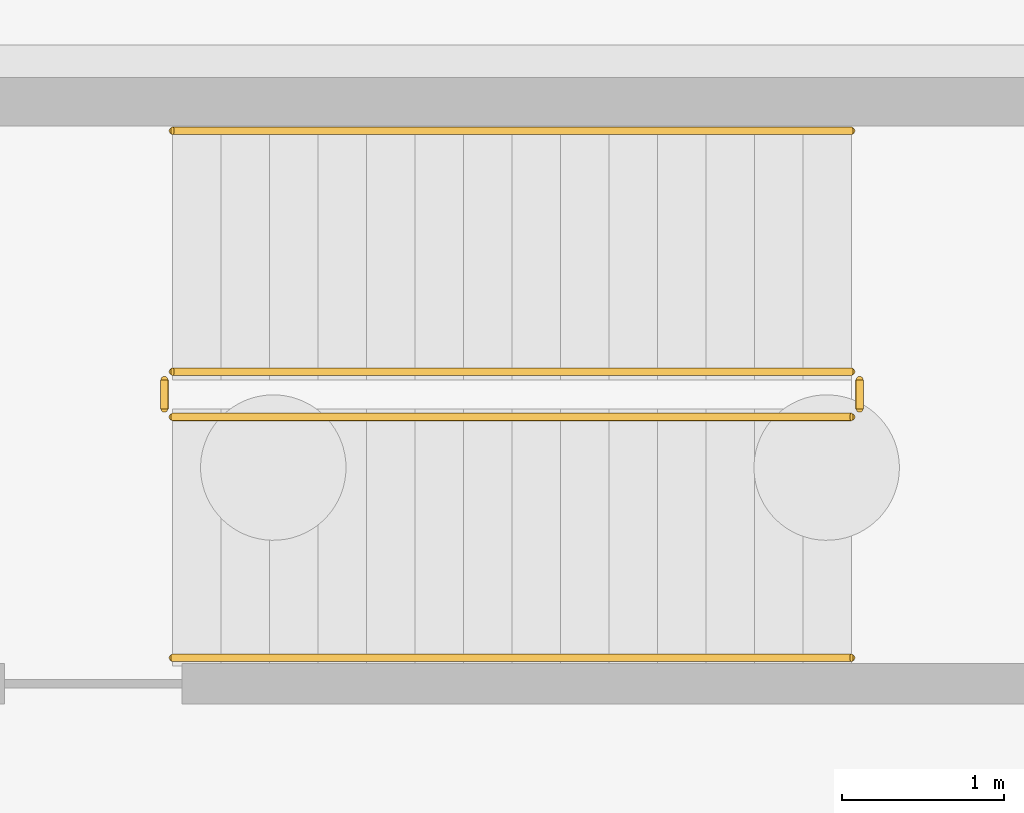
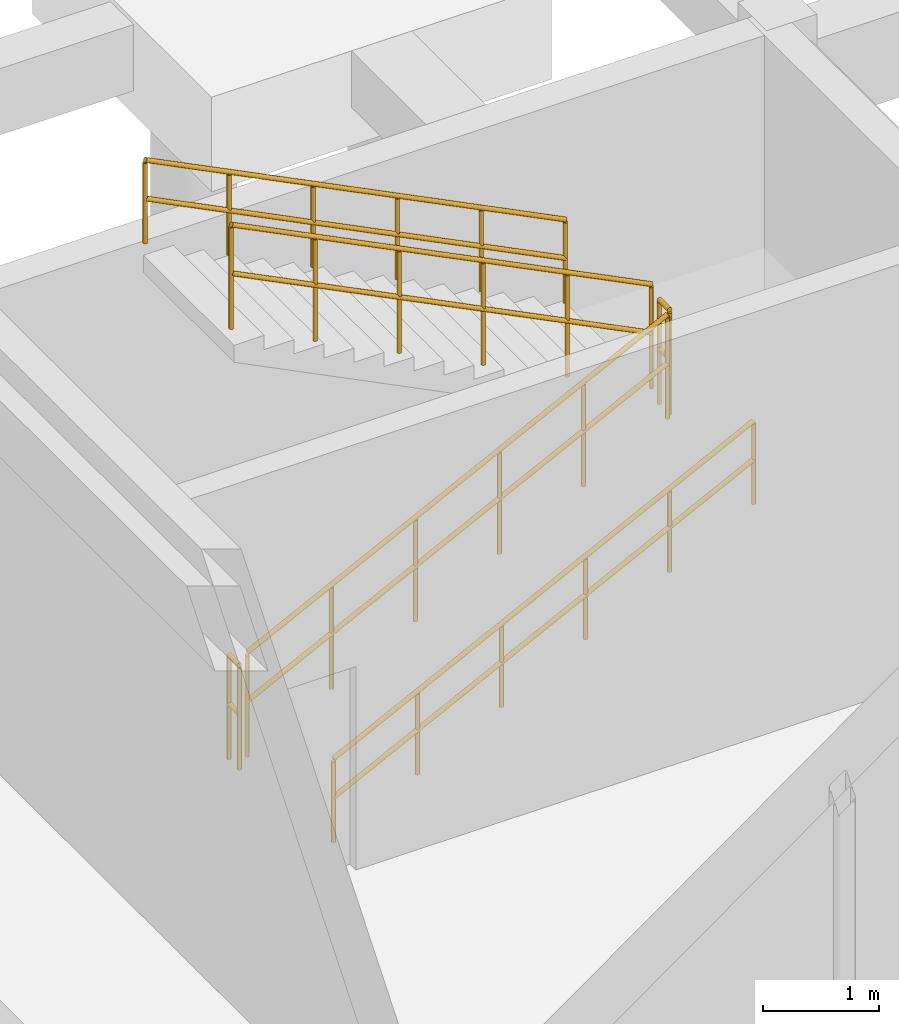
# One storey, part 42 of 43: 6 railings.
"""IFC4 building model written with IfcOpenShell, lengths in metres."""

from ifc_helpers import new_model, si_unit, derived_unit, direction, frame, origin, origin_2d, place, context, subcontext, project, spatial, circle, extrude, material, type_object, element, save


model = new_model("IFC4")

# Units and contexts
model_context = context("Model", 3, precision=1e-05, world=origin(), true_north=direction((0.0, 1.0)))
body_context = subcontext(model_context, "Body", "Model", "MODEL_VIEW")
ifc_project = project(units=[si_unit("LENGTHUNIT", "METRE"), si_unit("AREAUNIT", "SQUARE_METRE"), si_unit("VOLUMEUNIT", "CUBIC_METRE"), si_unit("PLANEANGLEUNIT", "RADIAN"), si_unit("MASSUNIT", "GRAM", prefix="KILO"), derived_unit("THERMALTRANSMITTANCEUNIT", [(si_unit("POWERUNIT", "WATT"), 1), (si_unit("AREAUNIT", "SQUARE_METRE"), -1), (si_unit("THERMODYNAMICTEMPERATUREUNIT", "KELVIN"), -1)])], contexts=[model_context])

# Site, building, storey
site_placement = place(None, origin())
site = spatial("IfcSite", under=ifc_project, at=site_placement, CompositionType="ELEMENT")
building_placement = place(site_placement, origin())
building = spatial("IfcBuilding", under=site, at=building_placement, Name="Yasenodar Specialist Clinic", CompositionType="ELEMENT")
storey_placement = place(building_placement, frame((0.0, 0.0, -4.5)))
storey = spatial("IfcBuildingStorey", under=building, at=storey_placement, Name="B1", CompositionType="ELEMENT", Elevation=-4.5)

# Railings
ifc_material_1 = material(Name="Steel S355 Painted Stair Guardrail", Category="steel")
railing_type_1 = type_object("IfcRailingType", Name="RL-ST-GRD", PredefinedType="GUARDRAIL", material=ifc_material_1)
railing_1_placement = place(storey_placement, frame((132.090087890625, 6.300048828125, 0.14990234375)))
element("IfcRailing", 1, at=railing_1_placement, inside=storey, type_object=railing_type_1, Name="B1 ST-06 stair guard 1", PredefinedType="GUARDRAIL", context=body_context, shape_type="SweptSolid", body=[
    extrude(circle(Radius=0.02392578125, at=origin_2d()), frame((0.0, 0.0, 1.09619140625), z_axis=(0.894416792377, 0.0, 0.447234392142), x_axis=(0.0, 1.0, 0.0)), (0.0, 0.0, 1.0), 4.69580078125),
    extrude(circle(Radius=0.02392578125, at=origin_2d()), frame((0.0, 0.0, 0.58251953125), z_axis=(0.894416792377, 0.0, 0.447234392142), x_axis=(0.0, 1.0, 0.0)), (0.0, 0.0, 1.0), 4.69580078125),
    extrude(circle(Radius=0.02099609375, at=origin_2d()), origin(), (0.0, 0.0, 1.0), 1.072021484375),
    extrude(circle(Radius=0.02099609375, at=origin_2d()), frame((0.840087890625, 0.0, 0.419921875)), (0.0, 0.0, 1.0), 1.072021484375),
    extrude(circle(Radius=0.02099609375, at=origin_2d()), frame((1.679931640625, 0.0, 0.840087890625)), (0.0, 0.0, 1.0), 1.072021484375),
    extrude(circle(Radius=0.02099609375, at=origin_2d()), frame((2.52001953125, 0.0, 1.260009765625)), (0.0, 0.0, 1.0), 1.072021484375),
    extrude(circle(Radius=0.02099609375, at=origin_2d()), frame((3.35986328125, 0.0, 1.68017578125)), (0.0, 0.0, 1.0), 1.072021484375),
    extrude(circle(Radius=0.02099609375, at=origin_2d()), frame((4.199951171875, 0.0, 2.10009765625)), (0.0, 0.0, 1.0), 1.072021484375),
])
railing_2_placement = place(storey_placement, frame((136.340087890625, 6.35009765625, 2.25)))
element("IfcRailing", 2, at=railing_2_placement, inside=storey, type_object=railing_type_1, Name="B1 ST-06 stair guard 2", PredefinedType="GUARDRAIL", context=body_context, shape_type="SweptSolid", body=[
    extrude(circle(Radius=0.02392578125, at=origin_2d()), frame((0.0, 0.0, 1.09619140625), z_axis=(0.0, 1.0, 0.0), x_axis=(-1.0, 0.0, 0.0)), (0.0, 0.0, 1.0), 0.179931640625),
    extrude(circle(Radius=0.02392578125, at=origin_2d()), frame((0.0, 0.0, 0.58251953125), z_axis=(0.0, 1.0, 0.0), x_axis=(-1.0, 0.0, 0.0)), (0.0, 0.0, 1.0), 0.179931640625),
    extrude(circle(Radius=0.02099609375, at=origin_2d()), origin(), (0.0, 0.0, 1.0), 1.072021484375),
    extrude(circle(Radius=0.02099609375, at=origin_2d()), frame((0.0, 0.179931640625, 0.0)), (0.0, 0.0, 1.0), 1.072021484375),
])
railing_3_placement = place(storey_placement, frame((136.2900390625, 6.580078125, 2.39990234375)))
element("IfcRailing", 3, at=railing_3_placement, inside=storey, type_object=railing_type_1, Name="B1 ST-06 stair guard 3", PredefinedType="GUARDRAIL", context=body_context, shape_type="SweptSolid", body=[
    extrude(circle(Radius=0.02392578125, at=origin_2d()), frame((0.0, 0.0, 1.09619140625), z_axis=(-0.894416792377, 0.0, 0.447234392142), x_axis=(0.0, -1.0, 0.0)), (0.0, 0.0, 1.0), 4.69580078125),
    extrude(circle(Radius=0.02392578125, at=origin_2d()), frame((0.0, 0.0, 0.58251953125), z_axis=(-0.894416792377, 0.0, 0.447234392142), x_axis=(0.0, -1.0, 0.0)), (0.0, 0.0, 1.0), 4.69580078125),
    extrude(circle(Radius=0.02099609375, at=origin_2d()), origin(), (0.0, 0.0, 1.0), 1.072021484375),
    extrude(circle(Radius=0.02099609375, at=origin_2d()), frame((-0.840087890625, 0.0, 0.419921875)), (0.0, 0.0, 1.0), 1.072021484375),
    extrude(circle(Radius=0.02099609375, at=origin_2d()), frame((-1.679931640625, 0.0, 0.840087890625)), (0.0, 0.0, 1.0), 1.072021484375),
    extrude(circle(Radius=0.02099609375, at=origin_2d()), frame((-2.52001953125, 0.0, 1.260009765625)), (0.0, 0.0, 1.0), 1.072021484375),
    extrude(circle(Radius=0.02099609375, at=origin_2d()), frame((-3.35986328125, 0.0, 1.68017578125)), (0.0, 0.0, 1.0), 1.072021484375),
    extrude(circle(Radius=0.02099609375, at=origin_2d()), frame((-4.199951171875, 0.0, 2.10009765625)), (0.0, 0.0, 1.0), 1.072021484375),
])
railing_4_placement = place(storey_placement, frame((132.0400390625, 6.35009765625, 0.0)))
element("IfcRailing", 4, at=railing_4_placement, inside=storey, type_object=railing_type_1, Name="B1 ST-06 stair guard 4", PredefinedType="GUARDRAIL", context=body_context, shape_type="SweptSolid", body=[
    extrude(circle(Radius=0.02392578125, at=origin_2d()), frame((0.0, 0.0, 1.09619140625), z_axis=(0.0, 1.0, 0.0), x_axis=(-1.0, 0.0, 0.0)), (0.0, 0.0, 1.0), 0.179931640625),
    extrude(circle(Radius=0.02392578125, at=origin_2d()), frame((0.0, 0.0, 0.58251953125), z_axis=(0.0, 1.0, 0.0), x_axis=(-1.0, 0.0, 0.0)), (0.0, 0.0, 1.0), 0.179931640625),
    extrude(circle(Radius=0.02099609375, at=origin_2d()), origin(), (0.0, 0.0, 1.0), 1.072021484375),
    extrude(circle(Radius=0.02099609375, at=origin_2d()), frame((0.0, 0.179931640625, 0.0)), (0.0, 0.0, 1.0), 1.072021484375),
])
ifc_material_2 = material(Name="Brushed Stainless Steel Handrail", Category="steel")
railing_type_2 = type_object("IfcRailingType", Name="RL-ST-HND", PredefinedType="HANDRAIL", material=ifc_material_2)
railing_5_placement = place(storey_placement, frame((132.090087890625, 4.81005859375, 0.14990234375)))
element("IfcRailing", 5, at=railing_5_placement, inside=storey, type_object=railing_type_2, Name="B1 ST-06 stair handrail 1", PredefinedType="HANDRAIL", context=body_context, shape_type="SweptSolid", body=[
    extrude(circle(Radius=0.02392578125, at=origin_2d()), frame((0.0, 0.0, 0.8759765625), z_axis=(0.894416792377, 0.0, 0.447234392142), x_axis=(0.0, 1.0, 0.0)), (0.0, 0.0, 1.0), 4.69580078125),
    extrude(circle(Radius=0.02392578125, at=origin_2d()), frame((0.0, 0.0, 0.468017578125), z_axis=(0.894416792377, 0.0, 0.447234392142), x_axis=(0.0, 1.0, 0.0)), (0.0, 0.0, 1.0), 4.69580078125),
    extrude(circle(Radius=0.02099609375, at=origin_2d()), origin(), (0.0, 0.0, 1.0), 0.851806640625),
    extrude(circle(Radius=0.02099609375, at=origin_2d()), frame((0.840087890625, 0.0, 0.419921875)), (0.0, 0.0, 1.0), 0.851806640625),
    extrude(circle(Radius=0.02099609375, at=origin_2d()), frame((1.679931640625, 0.0, 0.840087890625)), (0.0, 0.0, 1.0), 0.851806640625),
    extrude(circle(Radius=0.02099609375, at=origin_2d()), frame((2.52001953125, 0.0, 1.260009765625)), (0.0, 0.0, 1.0), 0.851806640625),
    extrude(circle(Radius=0.02099609375, at=origin_2d()), frame((3.35986328125, 0.0, 1.68017578125)), (0.0, 0.0, 1.0), 0.851806640625),
    extrude(circle(Radius=0.02099609375, at=origin_2d()), frame((4.199951171875, 0.0, 2.10009765625)), (0.0, 0.0, 1.0), 0.851806640625),
])
railing_6_placement = place(storey_placement, frame((136.2900390625, 8.070068359375, 2.39990234375)))
element("IfcRailing", 6, at=railing_6_placement, inside=storey, type_object=railing_type_2, Name="B1 ST-06 stair handrail 2", PredefinedType="HANDRAIL", context=body_context, shape_type="SweptSolid", body=[
    extrude(circle(Radius=0.02392578125, at=origin_2d()), frame((0.0, 0.0, 0.8759765625), z_axis=(-0.894416792377, 0.0, 0.447234392142), x_axis=(0.0, -1.0, 0.0)), (0.0, 0.0, 1.0), 4.69580078125),
    extrude(circle(Radius=0.02392578125, at=origin_2d()), frame((0.0, 0.0, 0.468017578125), z_axis=(-0.894416792377, 0.0, 0.447234392142), x_axis=(0.0, -1.0, 0.0)), (0.0, 0.0, 1.0), 4.69580078125),
    extrude(circle(Radius=0.02099609375, at=origin_2d()), origin(), (0.0, 0.0, 1.0), 0.851806640625),
    extrude(circle(Radius=0.02099609375, at=origin_2d()), frame((-0.840087890625, 0.0, 0.419921875)), (0.0, 0.0, 1.0), 0.851806640625),
    extrude(circle(Radius=0.02099609375, at=origin_2d()), frame((-1.679931640625, 0.0, 0.840087890625)), (0.0, 0.0, 1.0), 0.851806640625),
    extrude(circle(Radius=0.02099609375, at=origin_2d()), frame((-2.52001953125, 0.0, 1.260009765625)), (0.0, 0.0, 1.0), 0.851806640625),
    extrude(circle(Radius=0.02099609375, at=origin_2d()), frame((-3.35986328125, 0.0, 1.68017578125)), (0.0, 0.0, 1.0), 0.851806640625),
    extrude(circle(Radius=0.02099609375, at=origin_2d()), frame((-4.199951171875, 0.0, 2.10009765625)), (0.0, 0.0, 1.0), 0.851806640625),
])

save(model, "model.ifc")
